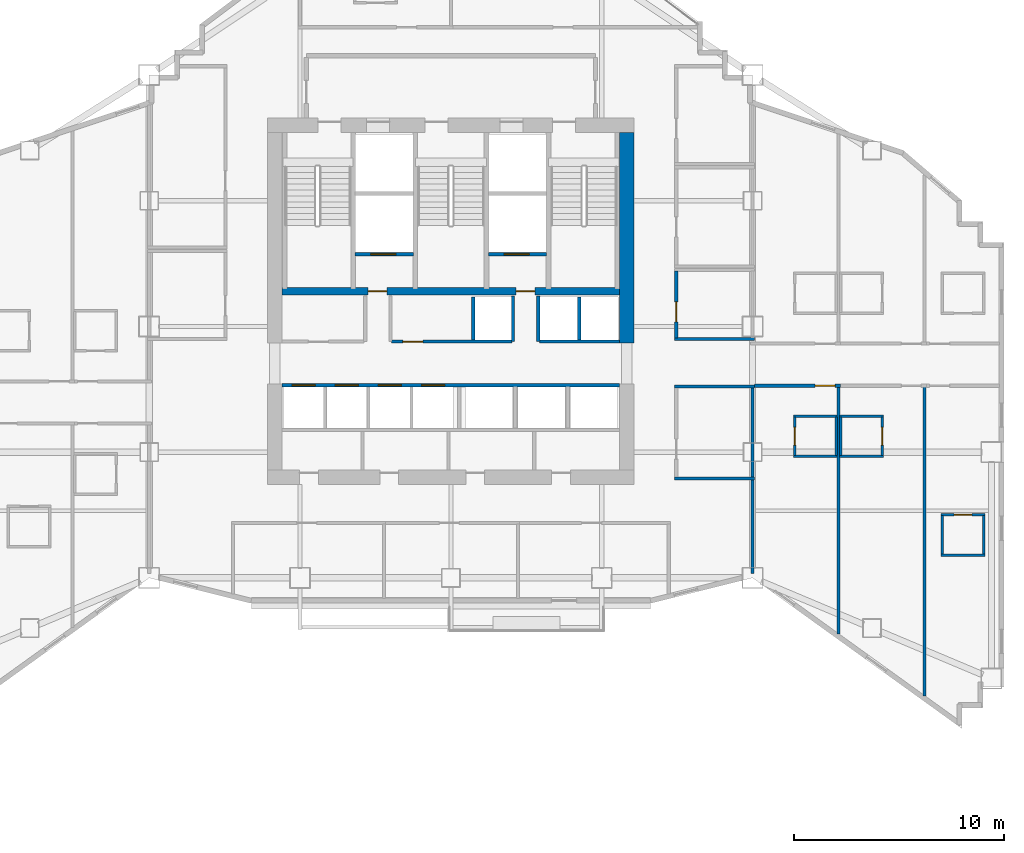
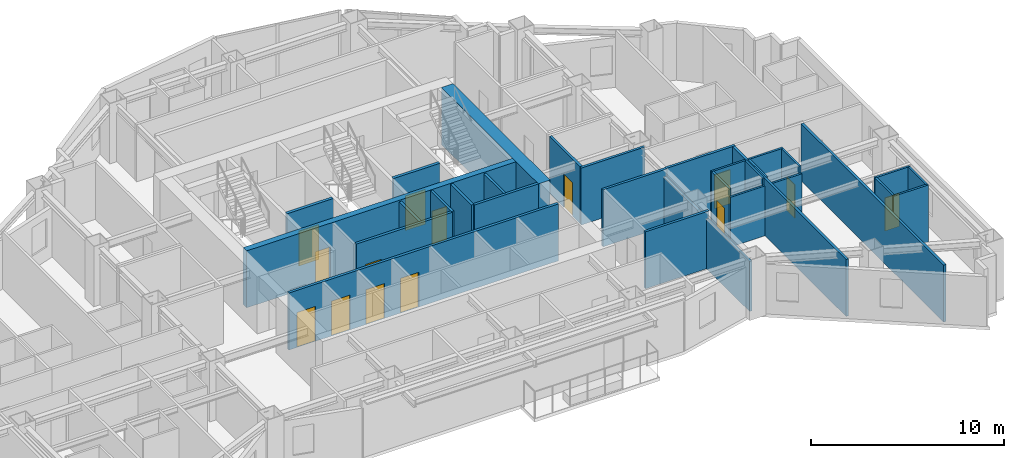
# One storey, part 10 of 15: 32 walls, 14 doors, 14 openings.
"""IFC4 building model written with IfcOpenShell, lengths in metres."""

from ifc_helpers import new_model, si_unit, direction, frame, frame_2d, origin, place, context, subcontext, project, spatial, rectangle, extrude, material, layer, layer_set, type_object, element, fill, save


model = new_model("IFC4")

# Units and contexts
model_context = context("Model", 3, precision=1e-05, world=origin(), true_north=direction((0.0, 1.0)))
body_context = subcontext(model_context, "Body", "Model", "MODEL_VIEW")
ifc_project = project(units=[si_unit("LENGTHUNIT", "METRE"), si_unit("AREAUNIT", "SQUARE_METRE"), si_unit("VOLUMEUNIT", "CUBIC_METRE"), si_unit("PLANEANGLEUNIT", "RADIAN"), si_unit("MASSUNIT", "GRAM", prefix="KILO")], contexts=[model_context])

# Site, building, storey
site_placement = place(None, origin())
site = spatial("IfcSite", under=ifc_project, at=site_placement, CompositionType="ELEMENT")
building_placement = place(site_placement, origin())
building = spatial("IfcBuilding", under=site, at=building_placement, Name="Haolan Belvedere Tower", CompositionType="ELEMENT")
storey_placement = place(building_placement, frame((0.0, 0.0, 152.39990234375)))
storey = spatial("IfcBuildingStorey", under=building, at=storey_placement, Name="L38", CompositionType="ELEMENT", Elevation=152.39990234375)

# Walls
ifc_material_1 = material(Name="Concrete C60/75", Category="concrete")
ifc_layer_1 = layer(ifc_material_1, 0.699951171875, Name="Concrete C60/75")
ifc_layer_set_1 = layer_set([ifc_layer_1], Name="Concrete C60/75")
wall_type_1 = type_object("IfcWallType", Name="WL-CORE-700", PredefinedType="SHEAR", material=ifc_layer_set_1)
wall_1_placement = place(storey_placement, frame((46.800048828125, 32.800048828125, 0.0), z_axis=(0.0, 0.0, 1.0), x_axis=(0.0, 1.0, 0.0)))
element("IfcWall", 1, at=wall_1_placement, inside=storey, type_object=wall_type_1, Name="L38 central core shear wall EN", PredefinedType="SHEAR", context=body_context, shape_type="SweptSolid", body=[
    extrude(rectangle(XDim=10.050048828125, YDim=0.699951171875, at=frame_2d((5.02490234375, 0.0))), origin(), (0.0, 0.0, 1.0), 3.60009765625),
])
ifc_material_2 = material(Name="Double gypsum acoustic stud partition", Category="masonry")
ifc_layer_2 = layer(ifc_material_2, 0.14990234375, Name="Double gypsum acoustic stud partition")
ifc_layer_set_2 = layer_set([ifc_layer_2], Name="Double gypsum acoustic stud partition")
wall_type_2 = type_object("IfcWallType", Name="WL-PART-150", PredefinedType="PARTITIONING", material=ifc_layer_set_2)
wall_2_placement = place(storey_placement, frame((49.080078125, 33.0, 0.0), z_axis=(0.0, 0.0, 1.0), x_axis=(1.0, 0.0, 0.0)))
element("IfcWall", 2, at=wall_2_placement, inside=storey, type_object=wall_type_2, Name="L38 interior partition IW-L38-AWC-S", PredefinedType="PARTITIONING", context=body_context, shape_type="SweptSolid", body=[
    extrude(rectangle(XDim=3.7998046875, YDim=0.14990234375, at=frame_2d((1.89990234375, 0.0))), origin(), (0.0, 0.0, 1.0), 3.60009765625),
])

# Wall, opening, door
wall_3_placement = place(storey_placement, frame((49.159912109375, 33.06005859375, 0.0), z_axis=(0.0, 0.0, 1.0), x_axis=(0.0, 1.0, 0.0)))
wall_3 = element("IfcWall", 3, at=wall_3_placement, inside=storey, type_object=wall_type_2, Name="L38 interior partition IW-L38-AWC-W", PredefinedType="PARTITIONING", context=body_context, shape_type="SweptSolid", body=[
    extrude(rectangle(XDim=3.179931640625, YDim=0.14990234375, at=frame_2d((1.58984375, 0.0))), origin(), (0.0, 0.0, 1.0), 3.60009765625),
])
opening_1_placement = place(wall_3_placement, frame((0.760009765625, 0.0, 0.0)))
opening_1 = element("IfcOpeningElement", 4, at=opening_1_placement, cuts=wall_3, Name="Opening ID-03", PredefinedType="OPENING", context=body_context, shape_type="SweptSolid", body=[
    extrude(rectangle(XDim=0.949951171875, YDim=2.1201171875, at=frame_2d((0.47509765625, 1.06005859375))), frame((0.0, 0.0849609375, 0.0), z_axis=(0.0, -1.0, 0.0), x_axis=(1.0, 0.0, 0.0)), (0.0, 0.0, 1.0), 0.169921875),
])
ifc_material_3 = material(Name="Painted solid-core timber", Category="wood")
door_type_1 = type_object("IfcDoorType", Name="DR-INT-950", OperationType="NOTDEFINED", PredefinedType="DOOR", material=ifc_material_3)
door_1_placement = place(opening_1_placement, origin())
door_1 = element("IfcDoor", 5, at=door_1_placement, inside=storey, type_object=door_type_1, Name="L38 door ID-L38-AWC", OperationType="SINGLE_SWING_LEFT", OverallHeight=2.1201171875, OverallWidth=0.949951171875, PredefinedType="DOOR", context=body_context, shape_type="SweptSolid", body=[
    extrude(rectangle(XDim=0.949951171875, YDim=2.1201171875, at=frame_2d((0.47509765625, 1.06005859375))), frame((0.0, 0.02490234375, 0.0), z_axis=(0.0, -1.0, 0.0), x_axis=(1.0, 0.0, 0.0)), (0.0, 0.0, 1.0), 0.050048828125),
])
fill(opening_1, door_1)

# Walls
for number, where, z_axis, x_axis, name in (
    (6, (49.080078125, 30.72998046875, 0.0), (0.0, 0.0, 1.0), (1.0, 0.0, 0.0), "L38 interior partition IW-L38-PKTE-N"),
    (7, (49.080078125, 26.35009765625, 0.0), (0.0, 0.0, 1.0), (1.0, 0.0, 0.0), "L38 interior partition IW-L38-PKTE-S"),
):
    element("IfcWall", number, at=place(storey_placement, frame(where, z_axis=z_axis, x_axis=x_axis)), inside=storey, type_object=wall_type_2, Name=name, PredefinedType="PARTITIONING", context=body_context, shape_type="SweptSolid", body=[
        extrude(rectangle(XDim=3.7998046875, YDim=0.14990234375, at=frame_2d((1.89990234375, 0.0))), origin(), (0.0, 0.0, 1.0), 3.60009765625),
    ])
wall_4_placement = place(storey_placement, frame((52.800048828125, 26.409912109375, 0.0), z_axis=(0.0, 0.0, 1.0), x_axis=(0.0, 1.0, 0.0)))
element("IfcWall", 8, at=wall_4_placement, inside=storey, type_object=wall_type_2, Name="L38 interior partition IW-L38-PKTE-E", PredefinedType="PARTITIONING", context=body_context, shape_type="SweptSolid", body=[
    extrude(rectangle(XDim=4.260009765625, YDim=0.14990234375, at=frame_2d((2.1298828125, 0.0))), origin(), (0.0, 0.0, 1.0), 3.14501953125),
])

# Wall, opening, door
wall_5_placement = place(storey_placement, frame((52.882080078125, 30.77001953125, 0.0), z_axis=(0.0, 0.0, 1.0), x_axis=(1.0, 0.0, 0.0)))
wall_5 = element("IfcWall", 9, at=wall_5_placement, inside=storey, type_object=wall_type_2, Name="L38 interior partition IW-L38-T4S1-N", PredefinedType="PARTITIONING", context=body_context, shape_type="SweptSolid", body=[
    extrude(rectangle(XDim=4.117919921875, YDim=0.14990234375, at=frame_2d((2.05908203125, 0.0))), origin(), (0.0, 0.0, 1.0), 3.60009765625),
])
opening_2_placement = place(wall_5_placement, frame((3.856201171875, 0.0, 0.0), z_axis=(0.0, 0.0, 1.0), x_axis=(-1.0, 0.0, 0.0)))
opening_2 = element("IfcOpeningElement", 10, at=opening_2_placement, cuts=wall_5, Name="Opening ID-02", PredefinedType="OPENING", context=body_context, shape_type="SweptSolid", body=[
    extrude(rectangle(XDim=0.949951171875, YDim=2.14990234375, at=frame_2d((0.47509765625, 1.074951171875))), frame((0.0, 0.0849609375, 0.0), z_axis=(0.0, -1.0, 0.0), x_axis=(1.0, 0.0, 0.0)), (0.0, 0.0, 1.0), 0.169921875),
])
ifc_material_4 = material(Name="Acoustic oak veneer fire-rated timber", Category="wood")
door_type_2 = type_object("IfcDoorType", Name="DR-GUEST-950", OperationType="NOTDEFINED", PredefinedType="DOOR", material=ifc_material_4)
door_2_placement = place(opening_2_placement, origin())
door_2 = element("IfcDoor", 11, at=door_2_placement, inside=storey, type_object=door_type_2, Name="L38 door ID-L38-T4S1-ENT", OperationType="SINGLE_SWING_LEFT", OverallHeight=2.14990234375, OverallWidth=0.949951171875, PredefinedType="DOOR", context=body_context, shape_type="SweptSolid", body=[
    extrude(rectangle(XDim=0.949951171875, YDim=2.14990234375, at=frame_2d((0.47509765625, 1.074951171875))), frame((0.0, 0.02490234375, 0.0), z_axis=(0.0, -1.0, 0.0), x_axis=(1.0, 0.0, 0.0)), (0.0, 0.0, 1.0), 0.050048828125),
])
fill(opening_2, door_2)

# Walls
wall_6_placement = place(storey_placement, frame((52.800048828125, 21.818603515625, 0.0), z_axis=(0.0, 0.0, 1.0), x_axis=(0.0, 1.0, 0.0)))
element("IfcWall", 12, at=wall_6_placement, inside=storey, type_object=wall_type_2, Name="L38 interior partition IW-L38-T4S1-W", PredefinedType="PARTITIONING", context=body_context, shape_type="SweptSolid", body=[
    extrude(rectangle(XDim=4.471435546875, YDim=0.14990234375, at=frame_2d((2.23583984375, 0.0))), origin(), (0.0, 0.0, 1.0), 3.14501953125),
])
wall_7_placement = place(storey_placement, frame((56.89990234375, 18.92529296875, 0.0), z_axis=(0.0, 0.0, 1.0), x_axis=(0.0, 1.0, 0.0)))
element("IfcWall", 13, at=wall_7_placement, inside=storey, type_object=wall_type_2, Name="L38 interior partition IW-L38-T4S1-E", PredefinedType="PARTITIONING", context=body_context, shape_type="SweptSolid", body=[
    extrude(rectangle(XDim=11.78466796875, YDim=0.14990234375, at=frame_2d((5.892333984375, 0.0))), origin(), (0.0, 0.0, 1.0), 3.60009765625),
])
wall_8_placement = place(storey_placement, frame((61.010009765625, 15.966064453125, 0.0), z_axis=(0.0, 0.0, 1.0), x_axis=(0.0, 1.0, 0.0)))
element("IfcWall", 14, at=wall_8_placement, inside=storey, type_object=wall_type_2, Name="L38 interior partition IW-L38-T4S2-E", PredefinedType="PARTITIONING", context=body_context, shape_type="SweptSolid", body=[
    extrude(rectangle(XDim=14.743896484375, YDim=0.14990234375, at=frame_2d((7.3720703125, 0.0))), origin(), (0.0, 0.0, 1.0), 3.60009765625),
])
ifc_material_5 = material(Name="Gypsum fire shaftwall assembly", Category="masonry")
ifc_layer_3 = layer(ifc_material_5, 0.1650390625, Name="Gypsum fire shaftwall assembly")
ifc_layer_set_3 = layer_set([ifc_layer_3], Name="Gypsum fire shaftwall assembly")
wall_type_3 = type_object("IfcWallType", Name="WL-SHAFT-160", PredefinedType="SOLIDWALL", material=ifc_layer_set_3)
for number, where, z_axis, x_axis, name in (
    (15, (41.3701171875, 32.8798828125, 0.0), (0.0, 0.0, 1.0), (0.0, 1.0, 0.0), "L38 interior partition IW-L38-SVP-W-SV2"),
    (16, (42.570068359375, 32.8798828125, 0.0), (0.0, 0.0, 1.0), (0.0, 1.0, 0.0), "L38 interior partition IW-L38-SVP-E-SV2"),
):
    element("IfcWall", number, at=place(storey_placement, frame(where, z_axis=z_axis, x_axis=x_axis)), inside=storey, type_object=wall_type_3, Name=name, PredefinedType="SOLIDWALL", context=body_context, shape_type="SweptSolid", body=[
        extrude(rectangle(XDim=2.170166015625, YDim=0.14990234375, at=frame_2d((1.0849609375, 0.0))), origin(), (0.0, 0.0, 1.0), 3.60009765625),
    ])

# Wall, opening, door
wall_9_placement = place(storey_placement, frame((35.570068359375, 32.8798828125, 0.0), z_axis=(0.0, 0.0, 1.0), x_axis=(1.0, 0.0, 0.0)))
wall_9 = element("IfcWall", 17, at=wall_9_placement, inside=storey, type_object=wall_type_3, Name="L38 interior partition IW-L38-ROW-PN2", PredefinedType="SOLIDWALL", context=body_context, shape_type="SweptSolid", body=[
    extrude(rectangle(XDim=5.739990234375, YDim=0.159912109375, at=frame_2d((2.8701171875, 0.0))), origin(), (0.0, 0.0, 1.0), 3.60009765625),
])
opening_3_placement = place(wall_9_placement, frame((1.489990234375, 0.0, 0.0), z_axis=(0.0, 0.0, 1.0), x_axis=(-1.0, 0.0, 0.0)))
opening_3 = element("IfcOpeningElement", 18, at=opening_3_placement, cuts=wall_9, Name="Opening ID-03", PredefinedType="OPENING", context=body_context, shape_type="SweptSolid", body=[
    extrude(rectangle(XDim=0.949951171875, YDim=2.1201171875, at=frame_2d((0.47509765625, 1.06005859375))), frame((0.0, 0.08984375, 0.0), z_axis=(0.0, -1.0, 0.0), x_axis=(1.0, 0.0, 0.0)), (0.0, 0.0, 1.0), 0.179931640625),
])
door_3_placement = place(opening_3_placement, origin())
door_3 = element("IfcDoor", 19, at=door_3_placement, inside=storey, type_object=door_type_1, Name="L38 door ID-L38-CD-RPLE", OperationType="SINGLE_SWING_RIGHT", OverallHeight=2.1201171875, OverallWidth=0.949951171875, PredefinedType="DOOR", context=body_context, shape_type="SweptSolid", body=[
    extrude(rectangle(XDim=0.949951171875, YDim=2.1201171875, at=frame_2d((0.47509765625, 1.06005859375))), frame((0.0, 0.02490234375, 0.0), z_axis=(0.0, -1.0, 0.0), x_axis=(1.0, 0.0, 0.0)), (0.0, 0.0, 1.0), 0.050048828125),
])
fill(opening_3, door_3)

# Walls
wall_10_placement = place(storey_placement, frame((42.6298828125, 32.8798828125, 0.0), z_axis=(0.0, 0.0, 1.0), x_axis=(1.0, 0.0, 0.0)))
element("IfcWall", 20, at=wall_10_placement, inside=storey, type_object=wall_type_3, Name="L38 interior partition IW-L38-ROW-PN3", PredefinedType="SOLIDWALL", context=body_context, shape_type="SweptSolid", body=[
    extrude(rectangle(XDim=3.820068359375, YDim=0.159912109375, at=frame_2d((1.91015625, 0.0))), origin(), (0.0, 0.0, 1.0), 3.60009765625),
])
for number, where, z_axis, x_axis, name in (
    (21, (39.469970703125, 32.949951171875, 0.0), (0.0, 0.0, 1.0), (0.0, 1.0, 0.0), "L38 interior partition IW-L38-DIV-PL4R"),
    (22, (44.530029296875, 32.949951171875, 0.0), (0.0, 0.0, 1.0), (0.0, 1.0, 0.0), "L38 interior partition IW-L38-DIV-PH2"),
):
    element("IfcWall", number, at=place(storey_placement, frame(where, z_axis=z_axis, x_axis=x_axis)), inside=storey, type_object=wall_type_3, Name=name, PredefinedType="SOLIDWALL", context=body_context, shape_type="SweptSolid", body=[
        extrude(rectangle(XDim=2.050048828125, YDim=0.14990234375, at=frame_2d((1.02490234375, 0.0))), origin(), (0.0, 0.0, 1.0), 3.60009765625),
    ])

# Wall, openings, doors
wall_11_placement = place(storey_placement, frame((30.35009765625, 30.800048828125, 0.0), z_axis=(0.0, 0.0, 1.0), x_axis=(1.0, 0.0, 0.0)))
wall_11 = element("IfcWall", 23, at=wall_11_placement, inside=storey, type_object=wall_type_3, Name="L38 interior partition IW-L38-ROW-PS", PredefinedType="SOLIDWALL", context=body_context, shape_type="SweptSolid", body=[
    extrude(rectangle(XDim=16.099853515625, YDim=0.159912109375, at=frame_2d((8.0498046875, 0.0))), origin(), (0.0, 0.0, 1.0), 3.60009765625),
])
opening_4_placement = place(wall_11_placement, frame((0.469970703125, 0.0, 0.0)))
opening_4 = element("IfcOpeningElement", 24, at=opening_4_placement, cuts=wall_11, Name="Opening LD-01", PredefinedType="OPENING", context=body_context, shape_type="SweptSolid", body=[
    extrude(rectangle(XDim=1.10009765625, YDim=2.199951171875, at=frame_2d((0.550048828125, 1.10009765625))), frame((0.0, 0.08984375, 0.0), z_axis=(0.0, -1.0, 0.0), x_axis=(1.0, 0.0, 0.0)), (0.0, 0.0, 1.0), 0.179931640625),
])
opening_5_placement = place(wall_11_placement, frame((2.530029296875, 0.0, 0.0)))
opening_5 = element("IfcOpeningElement", 25, at=opening_5_placement, cuts=wall_11, Name="Opening LD-01", PredefinedType="OPENING", context=body_context, shape_type="SweptSolid", body=[
    extrude(rectangle(XDim=1.10009765625, YDim=2.199951171875, at=frame_2d((0.550048828125, 1.10009765625))), frame((0.0, 0.08984375, 0.0), z_axis=(0.0, -1.0, 0.0), x_axis=(1.0, 0.0, 0.0)), (0.0, 0.0, 1.0), 0.179931640625),
])
opening_6_placement = place(wall_11_placement, frame((4.590087890625, 0.0, 0.0)))
opening_6 = element("IfcOpeningElement", 26, at=opening_6_placement, cuts=wall_11, Name="Opening LD-01", PredefinedType="OPENING", context=body_context, shape_type="SweptSolid", body=[
    extrude(rectangle(XDim=1.10009765625, YDim=2.199951171875, at=frame_2d((0.550048828125, 1.10009765625))), frame((0.0, 0.08984375, 0.0), z_axis=(0.0, -1.0, 0.0), x_axis=(1.0, 0.0, 0.0)), (0.0, 0.0, 1.0), 0.179931640625),
])
opening_7_placement = place(wall_11_placement, frame((6.64990234375, 0.0, 0.0)))
opening_7 = element("IfcOpeningElement", 27, at=opening_7_placement, cuts=wall_11, Name="Opening LD-01", PredefinedType="OPENING", context=body_context, shape_type="SweptSolid", body=[
    extrude(rectangle(XDim=1.10009765625, YDim=2.199951171875, at=frame_2d((0.550048828125, 1.10009765625))), frame((0.0, 0.08984375, 0.0), z_axis=(0.0, -1.0, 0.0), x_axis=(1.0, 0.0, 0.0)), (0.0, 0.0, 1.0), 0.179931640625),
])
ifc_material_6 = material(Name="Brushed champagne stainless steel 316L", Category="steel")
door_type_3 = type_object("IfcDoorType", Name="DR-LIFT-1100", OperationType="SLIDING_TO_LEFT", PredefinedType="DOOR", material=ifc_material_6)
door_4_placement = place(opening_4_placement, origin())
door_4 = element("IfcDoor", 28, at=door_4_placement, inside=storey, type_object=door_type_3, Name="L38 door ID-L38-LD-PM1", OperationType="SLIDING_TO_LEFT", OverallHeight=2.199951171875, OverallWidth=1.10009765625, PredefinedType="DOOR", context=body_context, shape_type="SweptSolid", body=[
    extrude(rectangle(XDim=1.10009765625, YDim=2.199951171875, at=frame_2d((0.550048828125, 1.10009765625))), frame((0.0, 0.02490234375, 0.0), z_axis=(0.0, -1.0, 0.0), x_axis=(1.0, 0.0, 0.0)), (0.0, 0.0, 1.0), 0.050048828125),
])
fill(opening_4, door_4)
door_5_placement = place(opening_5_placement, origin())
door_5 = element("IfcDoor", 29, at=door_5_placement, inside=storey, type_object=door_type_3, Name="L38 door ID-L38-LD-PM2", OperationType="SLIDING_TO_LEFT", OverallHeight=2.199951171875, OverallWidth=1.10009765625, PredefinedType="DOOR", context=body_context, shape_type="SweptSolid", body=[
    extrude(rectangle(XDim=1.10009765625, YDim=2.199951171875, at=frame_2d((0.550048828125, 1.10009765625))), frame((0.0, 0.02490234375, 0.0), z_axis=(0.0, -1.0, 0.0), x_axis=(1.0, 0.0, 0.0)), (0.0, 0.0, 1.0), 0.050048828125),
])
fill(opening_5, door_5)
door_6_placement = place(opening_6_placement, origin())
door_6 = element("IfcDoor", 30, at=door_6_placement, inside=storey, type_object=door_type_3, Name="L38 door ID-L38-LD-PM3", OperationType="SLIDING_TO_LEFT", OverallHeight=2.199951171875, OverallWidth=1.10009765625, PredefinedType="DOOR", context=body_context, shape_type="SweptSolid", body=[
    extrude(rectangle(XDim=1.10009765625, YDim=2.199951171875, at=frame_2d((0.550048828125, 1.10009765625))), frame((0.0, 0.02490234375, 0.0), z_axis=(0.0, -1.0, 0.0), x_axis=(1.0, 0.0, 0.0)), (0.0, 0.0, 1.0), 0.050048828125),
])
fill(opening_6, door_6)
door_7_placement = place(opening_7_placement, origin())
door_7 = element("IfcDoor", 31, at=door_7_placement, inside=storey, type_object=door_type_3, Name="L38 door ID-L38-LD-PM4", OperationType="SLIDING_TO_LEFT", OverallHeight=2.199951171875, OverallWidth=1.10009765625, PredefinedType="DOOR", context=body_context, shape_type="SweptSolid", body=[
    extrude(rectangle(XDim=1.10009765625, YDim=2.199951171875, at=frame_2d((0.550048828125, 1.10009765625))), frame((0.0, 0.02490234375, 0.0), z_axis=(0.0, -1.0, 0.0), x_axis=(1.0, 0.0, 0.0)), (0.0, 0.0, 1.0), 0.050048828125),
])
fill(opening_7, door_7)

# Wall, opening, door
ifc_material_7 = material(Name="Precast concrete C40/50", Category="concrete")
ifc_layer_4 = layer(ifc_material_7, 0.179931640625, Name="Precast concrete C40/50")
ifc_layer_set_4 = layer_set([ifc_layer_4], Name="Precast concrete C40/50")
wall_type_4 = type_object("IfcWallType", Name="WL-SHAFT-180", PredefinedType="SOLIDWALL", material=ifc_layer_set_4)
wall_12_placement = place(storey_placement, frame((33.8349609375, 37.050048828125, 0.0), z_axis=(0.0, 0.0, 1.0), x_axis=(1.0, 0.0, 0.0)))
wall_12 = element("IfcWall", 32, at=wall_12_placement, inside=storey, type_object=wall_type_4, Name="L38 interior partition IW-L38-SV1-S", PredefinedType="SOLIDWALL", context=body_context, shape_type="SweptSolid", body=[
    extrude(rectangle(XDim=2.77001953125, YDim=0.179931640625, at=frame_2d((1.385009765625, 0.0))), origin(), (0.0, 0.0, 1.0), 3.60009765625),
])
opening_8_placement = place(wall_12_placement, frame((1.945068359375, 0.0, 0.0), z_axis=(0.0, 0.0, 1.0), x_axis=(-1.0, 0.0, 0.0)))
opening_8 = element("IfcOpeningElement", 33, at=opening_8_placement, cuts=wall_12, Name="Opening LD-02", PredefinedType="OPENING", context=body_context, shape_type="SweptSolid", body=[
    extrude(rectangle(XDim=1.199951171875, YDim=2.199951171875, at=frame_2d((0.60009765625, 1.10009765625))), frame((0.0, 0.099853515625, 0.0), z_axis=(0.0, -1.0, 0.0), x_axis=(1.0, 0.0, 0.0)), (0.0, 0.0, 1.0), 0.199951171875),
])
door_type_4 = type_object("IfcDoorType", Name="DR-LIFT-1200", OperationType="SLIDING_TO_RIGHT", PredefinedType="DOOR", material=ifc_material_6)
door_8_placement = place(opening_8_placement, origin())
door_8 = element("IfcDoor", 34, at=door_8_placement, inside=storey, type_object=door_type_4, Name="L38 door ID-L38-LD-SV1", OperationType="SLIDING_TO_RIGHT", OverallHeight=2.199951171875, OverallWidth=1.199951171875, PredefinedType="DOOR", context=body_context, shape_type="SweptSolid", body=[
    extrude(rectangle(XDim=1.199951171875, YDim=2.199951171875, at=frame_2d((0.60009765625, 1.10009765625))), frame((0.0, 0.02490234375, 0.0), z_axis=(0.0, -1.0, 0.0), x_axis=(1.0, 0.0, 0.0)), (0.0, 0.0, 1.0), 0.050048828125),
])
fill(opening_8, door_8)

wall_13_placement = place(storey_placement, frame((40.195068359375, 37.050048828125, 0.0), z_axis=(0.0, 0.0, 1.0), x_axis=(1.0, 0.0, 0.0)))
wall_13 = element("IfcWall", 35, at=wall_13_placement, inside=storey, type_object=wall_type_4, Name="L38 interior partition IW-L38-SV2-S", PredefinedType="SOLIDWALL", context=body_context, shape_type="SweptSolid", body=[
    extrude(rectangle(XDim=2.77001953125, YDim=0.179931640625, at=frame_2d((1.385009765625, 0.0))), origin(), (0.0, 0.0, 1.0), 3.60009765625),
])
opening_9_placement = place(wall_13_placement, frame((1.945068359375, 0.0, 0.0), z_axis=(0.0, 0.0, 1.0), x_axis=(-1.0, 0.0, 0.0)))
opening_9 = element("IfcOpeningElement", 36, at=opening_9_placement, cuts=wall_13, Name="Opening LD-02", PredefinedType="OPENING", context=body_context, shape_type="SweptSolid", body=[
    extrude(rectangle(XDim=1.199951171875, YDim=2.199951171875, at=frame_2d((0.60009765625, 1.10009765625))), frame((0.0, 0.099853515625, 0.0), z_axis=(0.0, -1.0, 0.0), x_axis=(1.0, 0.0, 0.0)), (0.0, 0.0, 1.0), 0.199951171875),
])
door_9_placement = place(opening_9_placement, origin())
door_9 = element("IfcDoor", 37, at=door_9_placement, inside=storey, type_object=door_type_4, Name="L38 door ID-L38-LD-SV2", OperationType="SLIDING_TO_RIGHT", OverallHeight=2.199951171875, OverallWidth=1.199951171875, PredefinedType="DOOR", context=body_context, shape_type="SweptSolid", body=[
    extrude(rectangle(XDim=1.199951171875, YDim=2.199951171875, at=frame_2d((0.60009765625, 1.10009765625))), frame((0.0, 0.02490234375, 0.0), z_axis=(0.0, -1.0, 0.0), x_axis=(1.0, 0.0, 0.0)), (0.0, 0.0, 1.0), 0.050048828125),
])
fill(opening_9, door_9)

# Wall, openings, doors
ifc_layer_5 = layer(ifc_material_1, 0.360107421875, Name="Concrete C60/75")
ifc_layer_set_5 = layer_set([ifc_layer_5], Name="Concrete C60/75")
wall_type_5 = type_object("IfcWallType", Name="WL-WEB-350", PredefinedType="SHEAR", material=ifc_layer_set_5)
wall_14_placement = place(storey_placement, frame((30.35009765625, 35.2900390625, 0.0), z_axis=(0.0, 0.0, 1.0), x_axis=(1.0, 0.0, 0.0)))
wall_14 = element("IfcWall", 38, at=wall_14_placement, inside=storey, type_object=wall_type_5, Name="L38 central core internal shear web", PredefinedType="SHEAR", context=body_context, shape_type="SweptSolid", body=[
    extrude(rectangle(XDim=16.099853515625, YDim=0.360107421875, at=frame_2d((8.0498046875, 0.0))), origin(), (0.0, 0.0, 1.0), 3.60009765625),
])
opening_10_placement = place(wall_14_placement, frame((5.0, 0.0, 0.0), z_axis=(0.0, 0.0, 1.0), x_axis=(-1.0, 0.0, 0.0)))
opening_10 = element("IfcOpeningElement", 39, at=opening_10_placement, cuts=wall_14, Name="Opening FD-05", PredefinedType="OPENING", context=body_context, shape_type="SweptSolid", body=[
    extrude(rectangle(XDim=0.89990234375, YDim=2.10009765625, at=frame_2d((0.449951171875, 1.050048828125))), frame((0.0, 0.18994140625, 0.0), z_axis=(0.0, -1.0, 0.0), x_axis=(1.0, 0.0, 0.0)), (0.0, 0.0, 1.0), 0.380126953125),
])
opening_11_placement = place(wall_14_placement, frame((12.059814453125, 0.0, 0.0), z_axis=(0.0, 0.0, 1.0), x_axis=(-1.0, 0.0, 0.0)))
opening_11 = element("IfcOpeningElement", 40, at=opening_11_placement, cuts=wall_14, Name="Opening FD-05", PredefinedType="OPENING", context=body_context, shape_type="SweptSolid", body=[
    extrude(rectangle(XDim=0.89990234375, YDim=2.10009765625, at=frame_2d((0.449951171875, 1.050048828125))), frame((0.0, 0.18994140625, 0.0), z_axis=(0.0, -1.0, 0.0), x_axis=(1.0, 0.0, 0.0)), (0.0, 0.0, 1.0), 0.380126953125),
])
ifc_material_8 = material(Name="Galvanised fire-rated steel", Category="steel")
door_type_5 = type_object("IfcDoorType", Name="DR-FD60-900", OperationType="NOTDEFINED", PredefinedType="DOOR", material=ifc_material_8)
door_10_placement = place(opening_10_placement, origin())
door_10 = element("IfcDoor", 41, at=door_10_placement, inside=storey, type_object=door_type_5, Name="L38 door CD-L38-SVL-SV1", OperationType="SINGLE_SWING_RIGHT", OverallHeight=2.10009765625, OverallWidth=0.89990234375, PredefinedType="DOOR", context=body_context, shape_type="SweptSolid", body=[
    extrude(rectangle(XDim=0.89990234375, YDim=2.10009765625, at=frame_2d((0.449951171875, 1.050048828125))), frame((0.0, 0.02490234375, 0.0), z_axis=(0.0, -1.0, 0.0), x_axis=(1.0, 0.0, 0.0)), (0.0, 0.0, 1.0), 0.050048828125),
])
fill(opening_10, door_10)
door_11_placement = place(opening_11_placement, origin())
door_11 = element("IfcDoor", 42, at=door_11_placement, inside=storey, type_object=door_type_5, Name="L38 door CD-L38-SVL-SV2", OperationType="SINGLE_SWING_RIGHT", OverallHeight=2.10009765625, OverallWidth=0.89990234375, PredefinedType="DOOR", context=body_context, shape_type="SweptSolid", body=[
    extrude(rectangle(XDim=0.89990234375, YDim=2.10009765625, at=frame_2d((0.449951171875, 1.050048828125))), frame((0.0, 0.02490234375, 0.0), z_axis=(0.0, -1.0, 0.0), x_axis=(1.0, 0.0, 0.0)), (0.0, 0.0, 1.0), 0.050048828125),
])
fill(opening_11, door_11)

# Walls
ifc_material_9 = material(Name="Moisture-resistant gypsum tile partition", Category="masonry")
ifc_layer_6 = layer(ifc_material_9, 0.1201171875, Name="Moisture-resistant gypsum tile partition")
ifc_layer_set_6 = layer_set([ifc_layer_6], Name="Moisture-resistant gypsum tile partition")
wall_type_6 = type_object("IfcWallType", Name="WL-WET-120", PredefinedType="PARTITIONING", material=ifc_layer_set_6)
wall_15_placement = place(storey_placement, frame((54.760009765625, 29.320068359375, 0.0), z_axis=(0.0, 0.0, 1.0), x_axis=(1.0, 0.0, 0.0)))
element("IfcWall", 43, at=wall_15_placement, inside=storey, type_object=wall_type_6, Name="L38 interior partition IW-L38-T4S1-BN", PredefinedType="PARTITIONING", context=body_context, shape_type="SweptSolid", body=[
    extrude(rectangle(XDim=2.080078125, YDim=0.1201171875, at=frame_2d((1.0400390625, 0.0))), origin(), (0.0, 0.0, 1.0), 3.60009765625),
])
wall_16_placement = place(storey_placement, frame((54.760009765625, 27.39990234375, 0.0), z_axis=(0.0, 0.0, 1.0), x_axis=(1.0, 0.0, 0.0)))
element("IfcWall", 44, at=wall_16_placement, inside=storey, type_object=wall_type_6, Name="L38 interior partition IW-L38-T4S1-BS", PredefinedType="PARTITIONING", context=body_context, shape_type="SweptSolid", body=[
    extrude(rectangle(XDim=2.080078125, YDim=0.1201171875, at=frame_2d((1.0400390625, 0.0))), origin(), (0.0, 0.0, 1.0), 3.14501953125),
])

# Wall, opening, door
wall_17_placement = place(storey_placement, frame((54.820068359375, 27.445068359375, 0.0), z_axis=(0.0, 0.0, 1.0), x_axis=(0.0, 1.0, 0.0)))
wall_17 = element("IfcWall", 45, at=wall_17_placement, inside=storey, type_object=wall_type_6, Name="L38 interior partition IW-L38-T4S1-BW", PredefinedType="PARTITIONING", context=body_context, shape_type="SweptSolid", body=[
    extrude(rectangle(XDim=1.829833984375, YDim=0.1201171875, at=frame_2d((0.9150390625, 0.0))), origin(), (0.0, 0.0, 1.0), 3.60009765625),
])
opening_12_placement = place(wall_17_placement, frame((1.340087890625, 0.0, 0.0), z_axis=(0.0, 0.0, 1.0), x_axis=(-1.0, 0.0, 0.0)))
opening_12 = element("IfcOpeningElement", 46, at=opening_12_placement, cuts=wall_17, Name="Opening ID-05", PredefinedType="OPENING", context=body_context, shape_type="SweptSolid", body=[
    extrude(rectangle(XDim=0.85009765625, YDim=2.10009765625, at=frame_2d((0.425048828125, 1.050048828125))), frame((0.0, 0.070068359375, 0.0), z_axis=(0.0, -1.0, 0.0), x_axis=(1.0, 0.0, 0.0)), (0.0, 0.0, 1.0), 0.14013671875),
])
ifc_material_10 = material(Name="Moisture-resistant lacquered timber", Category="wood")
door_type_6 = type_object("IfcDoorType", Name="DR-BATH-850", OperationType="NOTDEFINED", PredefinedType="DOOR", material=ifc_material_10)
door_12_placement = place(opening_12_placement, origin())
door_12 = element("IfcDoor", 47, at=door_12_placement, inside=storey, type_object=door_type_6, Name="L38 door ID-L38-T4S1-BATH", OperationType="SINGLE_SWING_RIGHT", OverallHeight=2.10009765625, OverallWidth=0.85009765625, PredefinedType="DOOR", context=body_context, shape_type="SweptSolid", body=[
    extrude(rectangle(XDim=0.85009765625, YDim=2.10009765625, at=frame_2d((0.425048828125, 1.050048828125))), frame((0.0, 0.02490234375, 0.0), z_axis=(0.0, -1.0, 0.0), x_axis=(1.0, 0.0, 0.0)), (0.0, 0.0, 1.0), 0.050048828125),
])
fill(opening_12, door_12)

# Walls
wall_18_placement = place(storey_placement, frame((56.800048828125, 27.445068359375, 0.0), z_axis=(0.0, 0.0, 1.0), x_axis=(0.0, 1.0, 0.0)))
element("IfcWall", 48, at=wall_18_placement, inside=storey, type_object=wall_type_6, Name="L38 interior partition IW-L38-T4S1-BE", PredefinedType="PARTITIONING", context=body_context, shape_type="SweptSolid", body=[
    extrude(rectangle(XDim=1.829833984375, YDim=0.1201171875, at=frame_2d((0.9150390625, 0.0))), origin(), (0.0, 0.0, 1.0), 3.60009765625),
])
wall_19_placement = place(storey_placement, frame((56.9599609375, 29.320068359375, 0.0), z_axis=(0.0, 0.0, 1.0), x_axis=(1.0, 0.0, 0.0)))
element("IfcWall", 49, at=wall_19_placement, inside=storey, type_object=wall_type_6, Name="L38 interior partition IW-L38-T4S2-BN", PredefinedType="PARTITIONING", context=body_context, shape_type="SweptSolid", body=[
    extrude(rectangle(XDim=2.080078125, YDim=0.1201171875, at=frame_2d((1.0400390625, 0.0))), origin(), (0.0, 0.0, 1.0), 3.60009765625),
])
wall_20_placement = place(storey_placement, frame((56.9599609375, 27.39990234375, 0.0), z_axis=(0.0, 0.0, 1.0), x_axis=(1.0, 0.0, 0.0)))
element("IfcWall", 50, at=wall_20_placement, inside=storey, type_object=wall_type_6, Name="L38 interior partition IW-L38-T4S2-BS", PredefinedType="PARTITIONING", context=body_context, shape_type="SweptSolid", body=[
    extrude(rectangle(XDim=2.080078125, YDim=0.1201171875, at=frame_2d((1.0400390625, 0.0))), origin(), (0.0, 0.0, 1.0), 3.14501953125),
])
wall_21_placement = place(storey_placement, frame((57.0, 27.445068359375, 0.0), z_axis=(0.0, 0.0, 1.0), x_axis=(0.0, 1.0, 0.0)))
element("IfcWall", 51, at=wall_21_placement, inside=storey, type_object=wall_type_6, Name="L38 interior partition IW-L38-T4S2-BW", PredefinedType="PARTITIONING", context=body_context, shape_type="SweptSolid", body=[
    extrude(rectangle(XDim=1.829833984375, YDim=0.1201171875, at=frame_2d((0.9150390625, 0.0))), origin(), (0.0, 0.0, 1.0), 3.60009765625),
])

# Wall, opening, door
wall_22_placement = place(storey_placement, frame((58.97998046875, 27.445068359375, 0.0), z_axis=(0.0, 0.0, 1.0), x_axis=(0.0, 1.0, 0.0)))
wall_22 = element("IfcWall", 52, at=wall_22_placement, inside=storey, type_object=wall_type_6, Name="L38 interior partition IW-L38-T4S2-BE", PredefinedType="PARTITIONING", context=body_context, shape_type="SweptSolid", body=[
    extrude(rectangle(XDim=1.829833984375, YDim=0.1201171875, at=frame_2d((0.9150390625, 0.0))), origin(), (0.0, 0.0, 1.0), 3.60009765625),
])
opening_13_placement = place(wall_22_placement, frame((0.489990234375, 0.0, 0.0)))
opening_13 = element("IfcOpeningElement", 53, at=opening_13_placement, cuts=wall_22, Name="Opening ID-05", PredefinedType="OPENING", context=body_context, shape_type="SweptSolid", body=[
    extrude(rectangle(XDim=0.85009765625, YDim=2.10009765625, at=frame_2d((0.425048828125, 1.050048828125))), frame((0.0, 0.070068359375, 0.0), z_axis=(0.0, -1.0, 0.0), x_axis=(1.0, 0.0, 0.0)), (0.0, 0.0, 1.0), 0.14013671875),
])
door_13_placement = place(opening_13_placement, origin())
door_13 = element("IfcDoor", 54, at=door_13_placement, inside=storey, type_object=door_type_6, Name="L38 door ID-L38-T4S2-BATH", OperationType="SINGLE_SWING_LEFT", OverallHeight=2.10009765625, OverallWidth=0.85009765625, PredefinedType="DOOR", context=body_context, shape_type="SweptSolid", body=[
    extrude(rectangle(XDim=0.85009765625, YDim=2.10009765625, at=frame_2d((0.425048828125, 1.050048828125))), frame((0.0, 0.02490234375, 0.0), z_axis=(0.0, -1.0, 0.0), x_axis=(1.0, 0.0, 0.0)), (0.0, 0.0, 1.0), 0.050048828125),
])
fill(opening_13, door_13)

wall_23_placement = place(storey_placement, frame((61.797119140625, 24.610107421875, 0.0), z_axis=(0.0, 0.0, 1.0), x_axis=(1.0, 0.0, 0.0)))
wall_23 = element("IfcWall", 55, at=wall_23_placement, inside=storey, type_object=wall_type_6, Name="L38 interior partition IW-L38-T4S3-BN", PredefinedType="PARTITIONING", context=body_context, shape_type="SweptSolid", body=[
    extrude(rectangle(XDim=2.099853515625, YDim=0.1201171875, at=frame_2d((1.0498046875, 0.0))), origin(), (0.0, 0.0, 1.0), 3.60009765625),
])
opening_14_placement = place(wall_23_placement, frame((1.47509765625, 0.0, 0.0), z_axis=(0.0, 0.0, 1.0), x_axis=(-1.0, 0.0, 0.0)))
opening_14 = element("IfcOpeningElement", 56, at=opening_14_placement, cuts=wall_23, Name="Opening ID-05", PredefinedType="OPENING", context=body_context, shape_type="SweptSolid", body=[
    extrude(rectangle(XDim=0.85009765625, YDim=2.10009765625, at=frame_2d((0.425048828125, 1.050048828125))), frame((0.0, 0.070068359375, 0.0), z_axis=(0.0, -1.0, 0.0), x_axis=(1.0, 0.0, 0.0)), (0.0, 0.0, 1.0), 0.14013671875),
])
door_14_placement = place(opening_14_placement, origin())
door_14 = element("IfcDoor", 57, at=door_14_placement, inside=storey, type_object=door_type_6, Name="L38 door ID-L38-T4S3-BATH", OperationType="SINGLE_SWING_RIGHT", OverallHeight=2.10009765625, OverallWidth=0.85009765625, PredefinedType="DOOR", context=body_context, shape_type="SweptSolid", body=[
    extrude(rectangle(XDim=0.85009765625, YDim=2.10009765625, at=frame_2d((0.425048828125, 1.050048828125))), frame((0.0, 0.02490234375, 0.0), z_axis=(0.0, -1.0, 0.0), x_axis=(1.0, 0.0, 0.0)), (0.0, 0.0, 1.0), 0.050048828125),
])
fill(opening_14, door_14)

# Walls
wall_24_placement = place(storey_placement, frame((61.797119140625, 22.68994140625, 0.0), z_axis=(0.0, 0.0, 1.0), x_axis=(1.0, 0.0, 0.0)))
element("IfcWall", 58, at=wall_24_placement, inside=storey, type_object=wall_type_6, Name="L38 interior partition IW-L38-T4S3-BS", PredefinedType="PARTITIONING", context=body_context, shape_type="SweptSolid", body=[
    extrude(rectangle(XDim=2.099853515625, YDim=0.1201171875, at=frame_2d((1.0498046875, 0.0))), origin(), (0.0, 0.0, 1.0), 3.60009765625),
])
for number, where, z_axis, x_axis, name in (
    (59, (61.85693359375, 22.735107421875, 0.0), (0.0, 0.0, 1.0), (0.0, 1.0, 0.0), "L38 interior partition IW-L38-T4S3-BW"),
    (60, (63.8369140625, 22.735107421875, 0.0), (0.0, 0.0, 1.0), (0.0, 1.0, 0.0), "L38 interior partition IW-L38-T4S3-BE"),
):
    element("IfcWall", number, at=place(storey_placement, frame(where, z_axis=z_axis, x_axis=x_axis)), inside=storey, type_object=wall_type_6, Name=name, PredefinedType="PARTITIONING", context=body_context, shape_type="SweptSolid", body=[
        extrude(rectangle(XDim=1.829833984375, YDim=0.1201171875, at=frame_2d((0.9150390625, 0.0))), origin(), (0.0, 0.0, 1.0), 3.60009765625),
    ])

save(model, "model.ifc")
